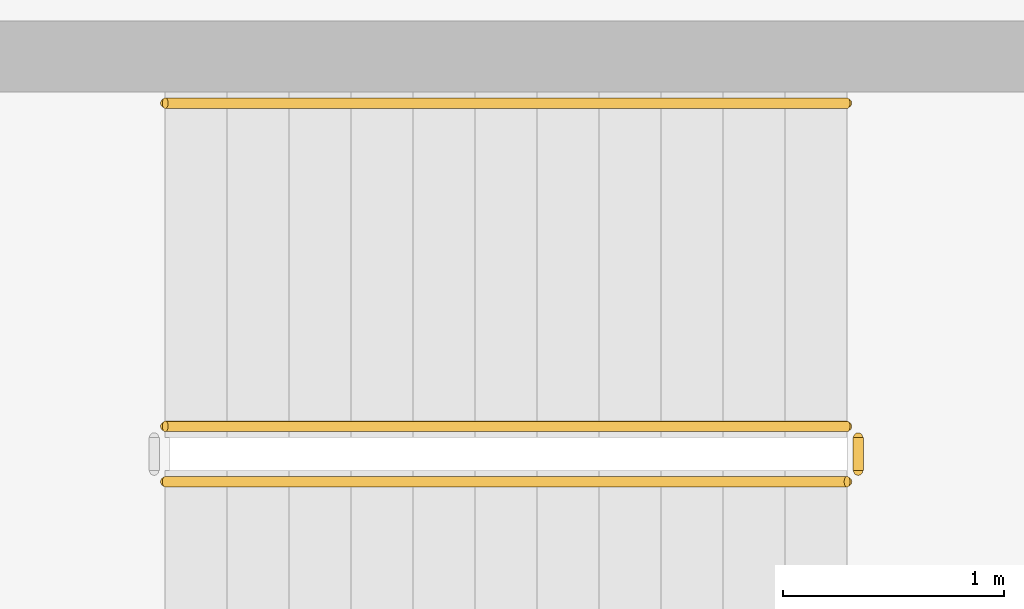
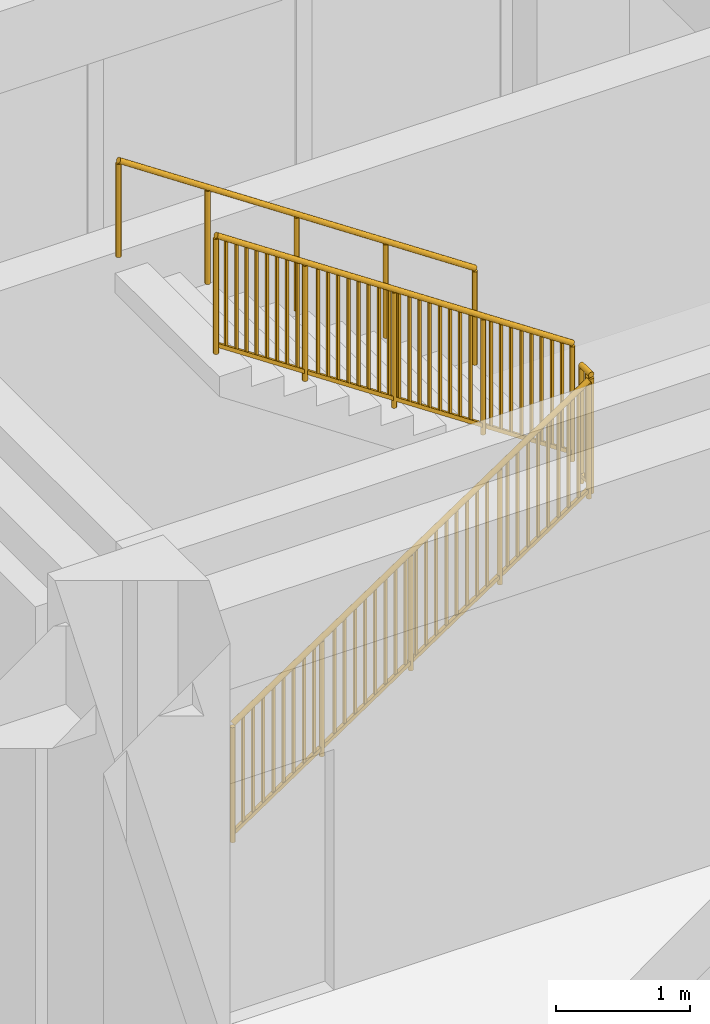
# One storey, part 70 of 79: 4 railings.
"""IFC4 building model written with IfcOpenShell, lengths in metres."""

from ifc_helpers import new_model, si_unit, direction, frame, origin, origin_2d, place, context, subcontext, project, spatial, rectangle, circle, extrude, material, type_object, element, save


model = new_model("IFC4")

# Units and contexts
model_context = context("Model", 3, precision=1e-05, world=origin(), true_north=direction((0.0, 1.0)))
body_context = subcontext(model_context, "Body", "Model", "MODEL_VIEW")
ifc_project = project(units=[si_unit("LENGTHUNIT", "METRE"), si_unit("AREAUNIT", "SQUARE_METRE"), si_unit("VOLUMEUNIT", "CUBIC_METRE"), si_unit("PLANEANGLEUNIT", "RADIAN"), si_unit("MASSUNIT", "GRAM", prefix="KILO")], contexts=[model_context])

# Site, building, storey
site_placement = place(None, origin())
site = spatial("IfcSite", under=ifc_project, at=site_placement, CompositionType="ELEMENT")
building_placement = place(site_placement, origin())
building = spatial("IfcBuilding", under=site, at=building_placement, Name="Zantavel Square City Hall", CompositionType="ELEMENT")
storey_placement = place(building_placement, frame((0.0, 0.0, 10.199951171875)))
storey = spatial("IfcBuildingStorey", under=building, at=storey_placement, Name="L03", CompositionType="ELEMENT", Elevation=10.199951171875)

# Railings
ifc_material_1 = material(Name="Steel ASTM A500 Grade B", Category="steel")
railing_type_1 = type_object("IfcRailingType", Name="Atrium & Gallery Steel Guard Railing 1100mm", PredefinedType="GUARDRAIL", material=ifc_material_1)
railing_1_placement = place(storey_placement, frame((66.030029296875, 62.909912109375, 0.1875)))
element("IfcRailing", 1, at=railing_1_placement, inside=storey, type_object=railing_type_1, Name="L03 ST5 stair guard 1", PredefinedType="GUARDRAIL", context=body_context, shape_type="SweptSolid", body=[
    extrude(circle(Radius=0.02392578125, at=origin_2d()), frame((0.0, 0.0, 1.076171875), z_axis=(0.830913701846, 0.0, 0.55640131208), x_axis=(0.0, 1.0, 0.0)), (0.0, 0.0, 1.0), 3.706787109375),
    extrude(rectangle(XDim=0.031982421875, YDim=0.031982421875, at=origin_2d()), frame((0.0, 0.0, 0.080078125), z_axis=(0.830913701846, 0.0, 0.55640131208), x_axis=(0.0, 1.0, 0.0)), (0.0, 0.0, 1.0), 3.706787109375),
    extrude(rectangle(XDim=0.02197265625, YDim=0.02197265625, at=origin_2d()), frame((0.087890625, 0.0, 0.138916015625)), (0.0, 0.0, 1.0), 0.971923828125),
    extrude(rectangle(XDim=0.02197265625, YDim=0.02197265625, at=origin_2d()), frame((0.176025390625, 0.0, 0.19775390625)), (0.0, 0.0, 1.0), 0.971923828125),
    extrude(rectangle(XDim=0.02197265625, YDim=0.02197265625, at=origin_2d()), frame((0.263916015625, 0.0, 0.2568359375)), (0.0, 0.0, 1.0), 0.971923828125),
    extrude(rectangle(XDim=0.02197265625, YDim=0.02197265625, at=origin_2d()), frame((0.35205078125, 0.0, 0.315673828125)), (0.0, 0.0, 1.0), 0.971923828125),
    extrude(rectangle(XDim=0.02197265625, YDim=0.02197265625, at=origin_2d()), frame((0.43994140625, 0.0, 0.374755859375)), (0.0, 0.0, 1.0), 0.971923828125),
    extrude(rectangle(XDim=0.02197265625, YDim=0.02197265625, at=origin_2d()), frame((0.528076171875, 0.0, 0.43359375)), (0.0, 0.0, 1.0), 0.971923828125),
    extrude(rectangle(XDim=0.02197265625, YDim=0.02197265625, at=origin_2d()), frame((0.615966796875, 0.0, 0.492431640625)), (0.0, 0.0, 1.0), 0.971923828125),
    extrude(rectangle(XDim=0.02197265625, YDim=0.02197265625, at=origin_2d()), frame((0.7041015625, 0.0, 0.551513671875)), (0.0, 0.0, 1.0), 0.971923828125),
    extrude(rectangle(XDim=0.02197265625, YDim=0.02197265625, at=origin_2d()), frame((0.880126953125, 0.0, 0.669189453125)), (0.0, 0.0, 1.0), 0.971923828125),
    extrude(rectangle(XDim=0.02197265625, YDim=0.02197265625, at=origin_2d()), frame((0.968017578125, 0.0, 0.728271484375)), (0.0, 0.0, 1.0), 0.971923828125),
    extrude(rectangle(XDim=0.02197265625, YDim=0.02197265625, at=origin_2d()), frame((1.055908203125, 0.0, 0.787109375)), (0.0, 0.0, 1.0), 0.971923828125),
    extrude(rectangle(XDim=0.02197265625, YDim=0.02197265625, at=origin_2d()), frame((1.14404296875, 0.0, 0.84619140625)), (0.0, 0.0, 1.0), 0.971923828125),
    extrude(rectangle(XDim=0.02197265625, YDim=0.02197265625, at=origin_2d()), frame((1.23193359375, 0.0, 0.905029296875)), (0.0, 0.0, 1.0), 0.971923828125),
    extrude(rectangle(XDim=0.02197265625, YDim=0.02197265625, at=origin_2d()), frame((1.320068359375, 0.0, 0.9638671875)), (0.0, 0.0, 1.0), 0.971923828125),
    extrude(rectangle(XDim=0.02197265625, YDim=0.02197265625, at=origin_2d()), frame((1.407958984375, 0.0, 1.02294921875)), (0.0, 0.0, 1.0), 0.971923828125),
    extrude(rectangle(XDim=0.02197265625, YDim=0.02197265625, at=origin_2d()), frame((1.49609375, 0.0, 1.081787109375)), (0.0, 0.0, 1.0), 0.971923828125),
    extrude(rectangle(XDim=0.02197265625, YDim=0.02197265625, at=origin_2d()), frame((1.583984375, 0.0, 1.140625)), (0.0, 0.0, 1.0), 0.971923828125),
    extrude(rectangle(XDim=0.02197265625, YDim=0.02197265625, at=origin_2d()), frame((1.672119140625, 0.0, 1.19970703125)), (0.0, 0.0, 1.0), 0.971923828125),
    extrude(rectangle(XDim=0.02197265625, YDim=0.02197265625, at=origin_2d()), frame((1.760009765625, 0.0, 1.258544921875)), (0.0, 0.0, 1.0), 0.971923828125),
    extrude(rectangle(XDim=0.02197265625, YDim=0.02197265625, at=origin_2d()), frame((1.84814453125, 0.0, 1.3173828125)), (0.0, 0.0, 1.0), 0.971923828125),
    extrude(rectangle(XDim=0.02197265625, YDim=0.02197265625, at=origin_2d()), frame((1.93603515625, 0.0, 1.37646484375)), (0.0, 0.0, 1.0), 0.971923828125),
    extrude(rectangle(XDim=0.02197265625, YDim=0.02197265625, at=origin_2d()), frame((2.024169921875, 0.0, 1.435302734375)), (0.0, 0.0, 1.0), 0.971923828125),
    extrude(rectangle(XDim=0.02197265625, YDim=0.02197265625, at=origin_2d()), frame((2.112060546875, 0.0, 1.494384765625)), (0.0, 0.0, 1.0), 0.971923828125),
    extrude(rectangle(XDim=0.02197265625, YDim=0.02197265625, at=origin_2d()), frame((2.199951171875, 0.0, 1.55322265625)), (0.0, 0.0, 1.0), 0.971923828125),
    extrude(rectangle(XDim=0.02197265625, YDim=0.02197265625, at=origin_2d()), frame((2.3759765625, 0.0, 1.671142578125)), (0.0, 0.0, 1.0), 0.971923828125),
    extrude(rectangle(XDim=0.02197265625, YDim=0.02197265625, at=origin_2d()), frame((2.464111328125, 0.0, 1.72998046875)), (0.0, 0.0, 1.0), 0.971923828125),
    extrude(rectangle(XDim=0.02197265625, YDim=0.02197265625, at=origin_2d()), frame((2.552001953125, 0.0, 1.788818359375)), (0.0, 0.0, 1.0), 0.971923828125),
    extrude(rectangle(XDim=0.02197265625, YDim=0.02197265625, at=origin_2d()), frame((2.64013671875, 0.0, 1.847900390625)), (0.0, 0.0, 1.0), 0.971923828125),
    extrude(rectangle(XDim=0.02197265625, YDim=0.02197265625, at=origin_2d()), frame((2.72802734375, 0.0, 1.90673828125)), (0.0, 0.0, 1.0), 0.971923828125),
    extrude(rectangle(XDim=0.02197265625, YDim=0.02197265625, at=origin_2d()), frame((2.816162109375, 0.0, 1.9658203125)), (0.0, 0.0, 1.0), 0.971923828125),
    extrude(rectangle(XDim=0.02197265625, YDim=0.02197265625, at=origin_2d()), frame((2.904052734375, 0.0, 2.024658203125)), (0.0, 0.0, 1.0), 0.971923828125),
    extrude(rectangle(XDim=0.02197265625, YDim=0.02197265625, at=origin_2d()), frame((2.9921875, 0.0, 2.08349609375)), (0.0, 0.0, 1.0), 0.971923828125),
    extrude(circle(Radius=0.02099609375, at=origin_2d()), origin(), (0.0, 0.0, 1.0), 1.052001953125),
    extrude(circle(Radius=0.02099609375, at=origin_2d()), frame((0.77001953125, 0.0, 0.515625)), (0.0, 0.0, 1.0), 1.052001953125),
    extrude(circle(Radius=0.02099609375, at=origin_2d()), frame((1.5400390625, 0.0, 1.03125)), (0.0, 0.0, 1.0), 1.052001953125),
    extrude(circle(Radius=0.02099609375, at=origin_2d()), frame((2.31005859375, 0.0, 1.546875)), (0.0, 0.0, 1.0), 1.052001953125),
    extrude(circle(Radius=0.02099609375, at=origin_2d()), frame((3.080078125, 0.0, 2.0625)), (0.0, 0.0, 1.0), 1.052001953125),
])
railing_2_placement = place(storey_placement, frame((69.159912109375, 62.9599609375, 2.25)))
element("IfcRailing", 2, at=railing_2_placement, inside=storey, type_object=railing_type_1, Name="L03 ST5 stair guard 2", PredefinedType="GUARDRAIL", context=body_context, shape_type="SweptSolid", body=[
    extrude(circle(Radius=0.02392578125, at=origin_2d()), frame((0.0, 0.0, 1.076171875), z_axis=(0.0, 1.0, 0.0), x_axis=(-1.0, 0.0, 0.0)), (0.0, 0.0, 1.0), 0.150146484375),
    extrude(rectangle(XDim=0.031982421875, YDim=0.031982421875, at=origin_2d()), frame((0.0, 0.0, 0.080078125), z_axis=(0.0, 1.0, 0.0), x_axis=(-1.0, 0.0, 0.0)), (0.0, 0.0, 1.0), 0.150146484375),
    extrude(rectangle(XDim=0.02197265625, YDim=0.02197265625, at=origin_2d()), frame((0.0, 0.0751953125, 0.080078125)), (0.0, 0.0, 1.0), 0.971923828125),
    extrude(circle(Radius=0.02099609375, at=origin_2d()), origin(), (0.0, 0.0, 1.0), 1.052001953125),
    extrude(circle(Radius=0.02099609375, at=origin_2d()), frame((0.0, 0.150146484375, 0.0)), (0.0, 0.0, 1.0), 1.052001953125),
])
railing_3_placement = place(storey_placement, frame((69.110107421875, 63.159912109375, 2.4375)))
element("IfcRailing", 3, at=railing_3_placement, inside=storey, type_object=railing_type_1, Name="L03 ST5 stair guard 3", PredefinedType="GUARDRAIL", context=body_context, shape_type="SweptSolid", body=[
    extrude(circle(Radius=0.02392578125, at=origin_2d()), frame((0.0, 0.0, 1.076171875), z_axis=(-0.830913701846, 0.0, 0.55640131208), x_axis=(0.0, -1.0, 0.0)), (0.0, 0.0, 1.0), 3.706787109375),
    extrude(rectangle(XDim=0.031982421875, YDim=0.031982421875, at=origin_2d()), frame((0.0, 0.0, 0.080078125), z_axis=(-0.830913701846, 0.0, 0.55640131208), x_axis=(0.0, -1.0, 0.0)), (0.0, 0.0, 1.0), 3.706787109375),
    extrude(rectangle(XDim=0.02197265625, YDim=0.02197265625, at=origin_2d()), frame((-0.087890625, 0.0, 0.138916015625)), (0.0, 0.0, 1.0), 0.971923828125),
    extrude(rectangle(XDim=0.02197265625, YDim=0.02197265625, at=origin_2d()), frame((-0.176025390625, 0.0, 0.19775390625)), (0.0, 0.0, 1.0), 0.971923828125),
    extrude(rectangle(XDim=0.02197265625, YDim=0.02197265625, at=origin_2d()), frame((-0.263916015625, 0.0, 0.2568359375)), (0.0, 0.0, 1.0), 0.971923828125),
    extrude(rectangle(XDim=0.02197265625, YDim=0.02197265625, at=origin_2d()), frame((-0.35205078125, 0.0, 0.315673828125)), (0.0, 0.0, 1.0), 0.971923828125),
    extrude(rectangle(XDim=0.02197265625, YDim=0.02197265625, at=origin_2d()), frame((-0.43994140625, 0.0, 0.374755859375)), (0.0, 0.0, 1.0), 0.971923828125),
    extrude(rectangle(XDim=0.02197265625, YDim=0.02197265625, at=origin_2d()), frame((-0.528076171875, 0.0, 0.43359375)), (0.0, 0.0, 1.0), 0.971923828125),
    extrude(rectangle(XDim=0.02197265625, YDim=0.02197265625, at=origin_2d()), frame((-0.615966796875, 0.0, 0.492431640625)), (0.0, 0.0, 1.0), 0.971923828125),
    extrude(rectangle(XDim=0.02197265625, YDim=0.02197265625, at=origin_2d()), frame((-0.7041015625, 0.0, 0.551513671875)), (0.0, 0.0, 1.0), 0.971923828125),
    extrude(rectangle(XDim=0.02197265625, YDim=0.02197265625, at=origin_2d()), frame((-0.880126953125, 0.0, 0.669189453125)), (0.0, 0.0, 1.0), 0.971923828125),
    extrude(rectangle(XDim=0.02197265625, YDim=0.02197265625, at=origin_2d()), frame((-0.968017578125, 0.0, 0.728271484375)), (0.0, 0.0, 1.0), 0.971923828125),
    extrude(rectangle(XDim=0.02197265625, YDim=0.02197265625, at=origin_2d()), frame((-1.055908203125, 0.0, 0.787109375)), (0.0, 0.0, 1.0), 0.971923828125),
    extrude(rectangle(XDim=0.02197265625, YDim=0.02197265625, at=origin_2d()), frame((-1.14404296875, 0.0, 0.84619140625)), (0.0, 0.0, 1.0), 0.971923828125),
    extrude(rectangle(XDim=0.02197265625, YDim=0.02197265625, at=origin_2d()), frame((-1.23193359375, 0.0, 0.905029296875)), (0.0, 0.0, 1.0), 0.971923828125),
    extrude(rectangle(XDim=0.02197265625, YDim=0.02197265625, at=origin_2d()), frame((-1.320068359375, 0.0, 0.9638671875)), (0.0, 0.0, 1.0), 0.971923828125),
    extrude(rectangle(XDim=0.02197265625, YDim=0.02197265625, at=origin_2d()), frame((-1.407958984375, 0.0, 1.02294921875)), (0.0, 0.0, 1.0), 0.971923828125),
    extrude(rectangle(XDim=0.02197265625, YDim=0.02197265625, at=origin_2d()), frame((-1.49609375, 0.0, 1.081787109375)), (0.0, 0.0, 1.0), 0.971923828125),
    extrude(rectangle(XDim=0.02197265625, YDim=0.02197265625, at=origin_2d()), frame((-1.583984375, 0.0, 1.140625)), (0.0, 0.0, 1.0), 0.971923828125),
    extrude(rectangle(XDim=0.02197265625, YDim=0.02197265625, at=origin_2d()), frame((-1.672119140625, 0.0, 1.19970703125)), (0.0, 0.0, 1.0), 0.971923828125),
    extrude(rectangle(XDim=0.02197265625, YDim=0.02197265625, at=origin_2d()), frame((-1.760009765625, 0.0, 1.258544921875)), (0.0, 0.0, 1.0), 0.971923828125),
    extrude(rectangle(XDim=0.02197265625, YDim=0.02197265625, at=origin_2d()), frame((-1.84814453125, 0.0, 1.3173828125)), (0.0, 0.0, 1.0), 0.971923828125),
    extrude(rectangle(XDim=0.02197265625, YDim=0.02197265625, at=origin_2d()), frame((-1.93603515625, 0.0, 1.37646484375)), (0.0, 0.0, 1.0), 0.971923828125),
    extrude(rectangle(XDim=0.02197265625, YDim=0.02197265625, at=origin_2d()), frame((-2.024169921875, 0.0, 1.435302734375)), (0.0, 0.0, 1.0), 0.971923828125),
    extrude(rectangle(XDim=0.02197265625, YDim=0.02197265625, at=origin_2d()), frame((-2.112060546875, 0.0, 1.494384765625)), (0.0, 0.0, 1.0), 0.971923828125),
    extrude(rectangle(XDim=0.02197265625, YDim=0.02197265625, at=origin_2d()), frame((-2.199951171875, 0.0, 1.55322265625)), (0.0, 0.0, 1.0), 0.971923828125),
    extrude(rectangle(XDim=0.02197265625, YDim=0.02197265625, at=origin_2d()), frame((-2.3759765625, 0.0, 1.671142578125)), (0.0, 0.0, 1.0), 0.971923828125),
    extrude(rectangle(XDim=0.02197265625, YDim=0.02197265625, at=origin_2d()), frame((-2.464111328125, 0.0, 1.72998046875)), (0.0, 0.0, 1.0), 0.971923828125),
    extrude(rectangle(XDim=0.02197265625, YDim=0.02197265625, at=origin_2d()), frame((-2.552001953125, 0.0, 1.788818359375)), (0.0, 0.0, 1.0), 0.971923828125),
    extrude(rectangle(XDim=0.02197265625, YDim=0.02197265625, at=origin_2d()), frame((-2.64013671875, 0.0, 1.847900390625)), (0.0, 0.0, 1.0), 0.971923828125),
    extrude(rectangle(XDim=0.02197265625, YDim=0.02197265625, at=origin_2d()), frame((-2.72802734375, 0.0, 1.90673828125)), (0.0, 0.0, 1.0), 0.971923828125),
    extrude(rectangle(XDim=0.02197265625, YDim=0.02197265625, at=origin_2d()), frame((-2.816162109375, 0.0, 1.9658203125)), (0.0, 0.0, 1.0), 0.971923828125),
    extrude(rectangle(XDim=0.02197265625, YDim=0.02197265625, at=origin_2d()), frame((-2.904052734375, 0.0, 2.024658203125)), (0.0, 0.0, 1.0), 0.971923828125),
    extrude(rectangle(XDim=0.02197265625, YDim=0.02197265625, at=origin_2d()), frame((-2.9921875, 0.0, 2.08349609375)), (0.0, 0.0, 1.0), 0.971923828125),
    extrude(circle(Radius=0.02099609375, at=origin_2d()), origin(), (0.0, 0.0, 1.0), 1.052001953125),
    extrude(circle(Radius=0.02099609375, at=origin_2d()), frame((-0.77001953125, 0.0, 0.515625)), (0.0, 0.0, 1.0), 1.052001953125),
    extrude(circle(Radius=0.02099609375, at=origin_2d()), frame((-1.5400390625, 0.0, 1.03125)), (0.0, 0.0, 1.0), 1.052001953125),
    extrude(circle(Radius=0.02099609375, at=origin_2d()), frame((-2.31005859375, 0.0, 1.546875)), (0.0, 0.0, 1.0), 1.052001953125),
    extrude(circle(Radius=0.02099609375, at=origin_2d()), frame((-3.080078125, 0.0, 2.0625)), (0.0, 0.0, 1.0), 1.052001953125),
])
ifc_material_2 = material(Name="Stainless steel 316", Category="steel")
railing_type_2 = type_object("IfcRailingType", Name="Stair Stainless Steel Handrail 900mm", PredefinedType="HANDRAIL", material=ifc_material_2)
railing_4_placement = place(storey_placement, frame((69.110107421875, 64.6201171875, 2.4375)))
element("IfcRailing", 4, at=railing_4_placement, inside=storey, type_object=railing_type_2, Name="L03 ST5 stair handrail 2", PredefinedType="HANDRAIL", context=body_context, shape_type="SweptSolid", body=[
    extrude(circle(Radius=0.02392578125, at=origin_2d()), frame((0.0, 0.0, 0.8759765625), z_axis=(-0.830913701846, 0.0, 0.55640131208), x_axis=(0.0, -1.0, 0.0)), (0.0, 0.0, 1.0), 3.706787109375),
    extrude(circle(Radius=0.02099609375, at=origin_2d()), origin(), (0.0, 0.0, 1.0), 0.851806640625),
    extrude(circle(Radius=0.02099609375, at=origin_2d()), frame((-0.77001953125, 0.0, 0.515625)), (0.0, 0.0, 1.0), 0.851806640625),
    extrude(circle(Radius=0.02099609375, at=origin_2d()), frame((-1.5400390625, 0.0, 1.03125)), (0.0, 0.0, 1.0), 0.851806640625),
    extrude(circle(Radius=0.02099609375, at=origin_2d()), frame((-2.31005859375, 0.0, 1.546875)), (0.0, 0.0, 1.0), 0.851806640625),
    extrude(circle(Radius=0.02099609375, at=origin_2d()), frame((-3.080078125, 0.0, 2.0625)), (0.0, 0.0, 1.0), 0.851806640625),
])

save(model, "model.ifc")
